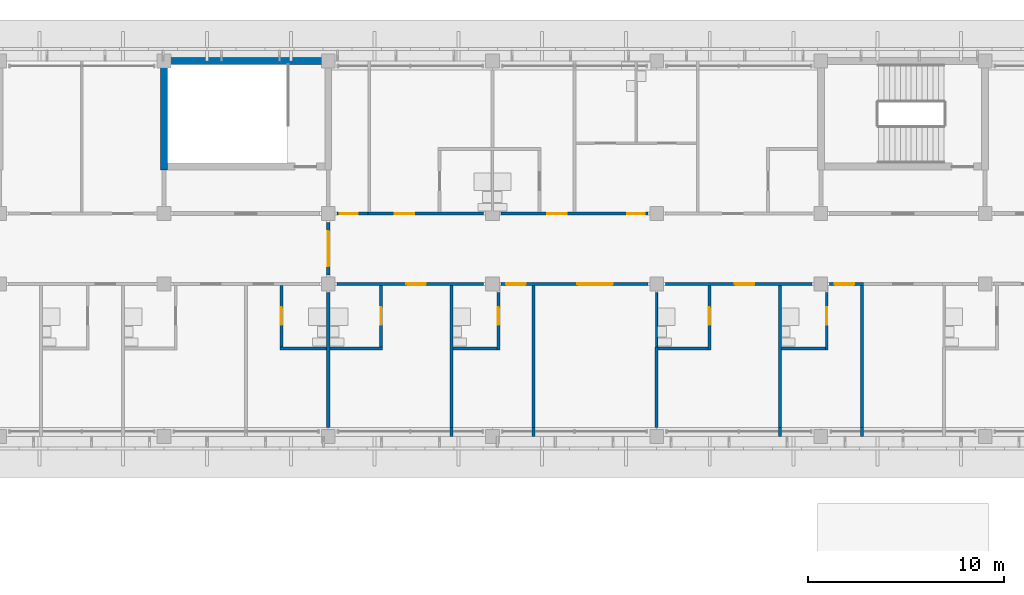
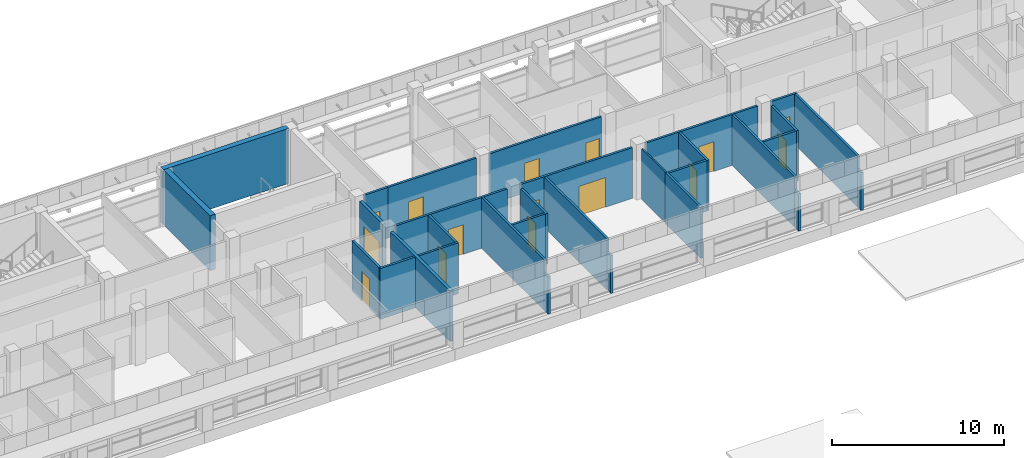
# One storey, part 18 of 36: 31 walls, 15 doors, 15 openings.
"""IFC4 building model written with IfcOpenShell, lengths in metres."""

from ifc_helpers import new_model, si_unit, direction, frame, frame_2d, origin, place, context, subcontext, project, spatial, rectangle, extrude, material, layer, layer_set, type_object, element, fill, save


model = new_model("IFC4")

# Units and contexts
model_context = context("Model", 3, precision=1e-05, world=origin(), true_north=direction((0.0, 1.0)))
body_context = subcontext(model_context, "Body", "Model", "MODEL_VIEW")
ifc_project = project(units=[si_unit("LENGTHUNIT", "METRE"), si_unit("AREAUNIT", "SQUARE_METRE"), si_unit("VOLUMEUNIT", "CUBIC_METRE"), si_unit("PLANEANGLEUNIT", "RADIAN"), si_unit("MASSUNIT", "GRAM", prefix="KILO")], contexts=[model_context])

# Site, building, storey
site_placement = place(None, origin())
site = spatial("IfcSite", under=ifc_project, at=site_placement, CompositionType="ELEMENT")
building_placement = place(site_placement, origin())
building = spatial("IfcBuilding", under=site, at=building_placement, Name="Bougainvillea Quay General Hospital", CompositionType="ELEMENT")
storey_placement = place(building_placement, frame((0.0, 0.0, 32.699951171875)))
storey = spatial("IfcBuildingStorey", under=building, at=storey_placement, Name="L07", CompositionType="ELEMENT", Elevation=32.699951171875)

# Walls
ifc_material_1 = material(Name="Gypsum board partition on steel studs", Category="steel")
ifc_layer_1 = layer(ifc_material_1, 0.10009765625)
ifc_layer_set_1 = layer_set([ifc_layer_1], Name="Gypsum board partition on steel studs")
wall_type_1 = type_object("IfcWallType", Name="Partition 100 Gypsum board partition", PredefinedType="PARTITIONING", material=ifc_layer_set_1)
wall_1_placement = place(storey_placement, frame((126.0, 144.97509765625, 0.0), z_axis=(0.0, 0.0, 1.0), x_axis=(0.0, 1.0, 0.0)))
element("IfcWall", 1, at=wall_1_placement, inside=storey, type_object=wall_type_1, Name="Partition 100 mm", PredefinedType="PARTITIONING", context=body_context, shape_type="SweptSolid", body=[
    extrude(rectangle(XDim=2.77490234375, YDim=0.10009765625, at=frame_2d((1.387451171875, 0.0))), origin(), (0.0, 0.0, 1.0), 3.60009765625),
])
ifc_material_2 = material(Name="Gypsum board partition on steel studs, insulated", Category="steel")
ifc_layer_2 = layer(ifc_material_2, 0.14990234375)
ifc_layer_set_2 = layer_set([ifc_layer_2], Name="Gypsum board partition on steel studs, insulated")
wall_type_2 = type_object("IfcWallType", Name="Partition 150 Gypsum board partition", PredefinedType="PARTITIONING", material=ifc_layer_set_2)
wall_2_placement = place(storey_placement, frame((115.5, 140.39990234375, 0.0), z_axis=(0.0, 0.0, 1.0), x_axis=(0.0, 1.0, 0.0)))
element("IfcWall", 2, at=wall_2_placement, inside=storey, type_object=wall_type_2, Name="Partition 150 mm", PredefinedType="PARTITIONING", context=body_context, shape_type="SweptSolid", body=[
    extrude(rectangle(XDim=0.4501953125, YDim=0.14990234375, at=frame_2d((0.22509765625, 0.0))), origin(), (0.0, 0.0, 1.0), 2.679931640625),
])
wall_3_placement = place(storey_placement, frame((115.5, 140.85009765625, 0.0), z_axis=(0.0, 0.0, 1.0), x_axis=(0.0, 1.0, 0.0)))
element("IfcWall", 3, at=wall_3_placement, inside=storey, type_object=wall_type_2, Name="Partition 150 mm", PredefinedType="PARTITIONING", context=body_context, shape_type="SweptSolid", body=[
    extrude(rectangle(XDim=7.27490234375, YDim=0.14990234375, at=frame_2d((3.637451171875, 0.0))), origin(), (0.0, 0.0, 1.0), 3.60009765625),
])
wall_4_placement = place(storey_placement, frame((119.699951171875, 140.39990234375, 0.0), z_axis=(0.0, 0.0, 1.0), x_axis=(0.0, 1.0, 0.0)))
element("IfcWall", 4, at=wall_4_placement, inside=storey, type_object=wall_type_2, Name="Partition 150 mm", PredefinedType="PARTITIONING", context=body_context, shape_type="SweptSolid", body=[
    extrude(rectangle(XDim=0.4501953125, YDim=0.14990234375, at=frame_2d((0.22509765625, 0.0))), origin(), (0.0, 0.0, 1.0), 2.679931640625),
])
wall_5_placement = place(storey_placement, frame((119.699951171875, 140.85009765625, 0.0), z_axis=(0.0, 0.0, 1.0), x_axis=(0.0, 1.0, 0.0)))
element("IfcWall", 5, at=wall_5_placement, inside=storey, type_object=wall_type_2, Name="Partition 150 mm", PredefinedType="PARTITIONING", context=body_context, shape_type="SweptSolid", body=[
    extrude(rectangle(XDim=7.27490234375, YDim=0.14990234375, at=frame_2d((3.637451171875, 0.0))), origin(), (0.0, 0.0, 1.0), 3.60009765625),
])
wall_6_placement = place(storey_placement, frame((132.300048828125, 140.39990234375, 0.0), z_axis=(0.0, 0.0, 1.0), x_axis=(0.0, 1.0, 0.0)))
element("IfcWall", 6, at=wall_6_placement, inside=storey, type_object=wall_type_2, Name="Partition 150 mm", PredefinedType="PARTITIONING", context=body_context, shape_type="SweptSolid", body=[
    extrude(rectangle(XDim=0.4501953125, YDim=0.14990234375, at=frame_2d((0.22509765625, 0.0))), origin(), (0.0, 0.0, 1.0), 2.679931640625),
])
wall_7_placement = place(storey_placement, frame((132.300048828125, 140.85009765625, 0.0), z_axis=(0.0, 0.0, 1.0), x_axis=(0.0, 1.0, 0.0)))
element("IfcWall", 7, at=wall_7_placement, inside=storey, type_object=wall_type_2, Name="Partition 150 mm", PredefinedType="PARTITIONING", context=body_context, shape_type="SweptSolid", body=[
    extrude(rectangle(XDim=7.27490234375, YDim=0.14990234375, at=frame_2d((3.637451171875, 0.0))), origin(), (0.0, 0.0, 1.0), 3.60009765625),
])
wall_8_placement = place(storey_placement, frame((136.5, 140.39990234375, 0.0), z_axis=(0.0, 0.0, 1.0), x_axis=(0.0, 1.0, 0.0)))
element("IfcWall", 8, at=wall_8_placement, inside=storey, type_object=wall_type_2, Name="Partition 150 mm", PredefinedType="PARTITIONING", context=body_context, shape_type="SweptSolid", body=[
    extrude(rectangle(XDim=0.4501953125, YDim=0.14990234375, at=frame_2d((0.22509765625, 0.0))), origin(), (0.0, 0.0, 1.0), 2.679931640625),
])
wall_9_placement = place(storey_placement, frame((136.5, 140.85009765625, 0.0), z_axis=(0.0, 0.0, 1.0), x_axis=(0.0, 1.0, 0.0)))
element("IfcWall", 9, at=wall_9_placement, inside=storey, type_object=wall_type_2, Name="Partition 150 mm", PredefinedType="PARTITIONING", context=body_context, shape_type="SweptSolid", body=[
    extrude(rectangle(XDim=7.27490234375, YDim=0.14990234375, at=frame_2d((3.637451171875, 0.0))), origin(), (0.0, 0.0, 1.0), 3.60009765625),
])
wall_10_placement = place(storey_placement, frame((106.72509765625, 144.89990234375, 0.0), z_axis=(0.0, 0.0, 1.0), x_axis=(1.0, 0.0, 0.0)))
element("IfcWall", 10, at=wall_10_placement, inside=storey, type_object=wall_type_2, Name="Partition 150 mm", PredefinedType="PARTITIONING", context=body_context, shape_type="SweptSolid", body=[
    extrude(rectangle(XDim=2.375, YDim=0.14990234375, at=frame_2d((1.1875, 0.0))), origin(), (0.0, 0.0, 1.0), 3.60009765625),
])
wall_11_placement = place(storey_placement, frame((109.300048828125, 144.89990234375, 0.0), z_axis=(0.0, 0.0, 1.0), x_axis=(1.0, 0.0, 0.0)))
element("IfcWall", 11, at=wall_11_placement, inside=storey, type_object=wall_type_2, Name="Partition 150 mm", PredefinedType="PARTITIONING", context=body_context, shape_type="SweptSolid", body=[
    extrude(rectangle(XDim=2.675048828125, YDim=0.14990234375, at=frame_2d((1.33740234375, 0.0))), origin(), (0.0, 0.0, 1.0), 3.60009765625),
])
wall_12_placement = place(storey_placement, frame((126.0, 140.85009765625, 0.0), z_axis=(0.0, 0.0, 1.0), x_axis=(0.0, 1.0, 0.0)))
element("IfcWall", 12, at=wall_12_placement, inside=storey, type_object=wall_type_2, Name="Partition 150 mm", PredefinedType="PARTITIONING", context=body_context, shape_type="SweptSolid", body=[
    extrude(rectangle(XDim=4.125, YDim=0.14990234375, at=frame_2d((2.0625, 0.0))), origin(), (0.0, 0.0, 1.0), 3.60009765625),
])

# Wall, opening, door
wall_13_placement = place(storey_placement, frame((106.800048828125, 144.97509765625, 0.0), z_axis=(0.0, 0.0, 1.0), x_axis=(0.0, 1.0, 0.0)))
wall_13 = element("IfcWall", 13, at=wall_13_placement, inside=storey, type_object=wall_type_2, Name="Partition 150 mm", PredefinedType="PARTITIONING", context=body_context, shape_type="SweptSolid", body=[
    extrude(rectangle(XDim=3.14990234375, YDim=0.14990234375, at=frame_2d((1.574951171875, 0.0))), origin(), (0.0, 0.0, 1.0), 3.60009765625),
])
opening_1_placement = place(wall_13_placement, frame((1.125, 0.0, 0.0)))
opening_1 = element("IfcOpeningElement", 14, at=opening_1_placement, cuts=wall_13, Name="Opening L07.032", PredefinedType="OPENING", context=body_context, shape_type="SweptSolid", body=[
    extrude(rectangle(XDim=0.89990234375, YDim=2.10009765625, at=frame_2d((0.449951171875, 1.050048828125))), frame((0.0, 0.0849609375, 0.0), z_axis=(0.0, -1.0, 0.0), x_axis=(1.0, 0.0, 0.0)), (0.0, 0.0, 1.0), 0.169921875),
])
ifc_material_3 = material(Name="Solid-core timber door leaf in steel frame", Category="steel")
door_type_1 = type_object("IfcDoorType", Name="Single leaf door 900x2100", OperationType="NOTDEFINED", PredefinedType="DOOR", material=ifc_material_3)
door_1_placement = place(opening_1_placement, frame((0.89990234375, 0.0, 0.0), z_axis=(0.0, 0.0, 1.0), x_axis=(-1.0, 0.0, 0.0)))
door_1 = element("IfcDoor", 15, at=door_1_placement, inside=storey, type_object=door_type_1, Name="DT07 L07.032", OperationType="SINGLE_SWING_LEFT", OverallHeight=2.10009765625, OverallWidth=0.89990234375, PredefinedType="DOOR", context=body_context, shape_type="SweptSolid", body=[
    extrude(rectangle(XDim=0.89990234375, YDim=2.10009765625, at=frame_2d((0.449951171875, 1.050048828125))), frame((0.0, 0.02490234375, 0.0), z_axis=(0.0, -1.0, 0.0), x_axis=(1.0, 0.0, 0.0)), (0.0, 0.0, 1.0), 0.050048828125),
])
fill(opening_1, door_1)

wall_14_placement = place(storey_placement, frame((111.89990234375, 144.97509765625, 0.0), z_axis=(0.0, 0.0, 1.0), x_axis=(0.0, 1.0, 0.0)))
wall_14 = element("IfcWall", 16, at=wall_14_placement, inside=storey, type_object=wall_type_2, Name="Partition 150 mm", PredefinedType="PARTITIONING", context=body_context, shape_type="SweptSolid", body=[
    extrude(rectangle(XDim=3.14990234375, YDim=0.14990234375, at=frame_2d((1.574951171875, 0.0))), origin(), (0.0, 0.0, 1.0), 3.60009765625),
])
opening_2_placement = place(wall_14_placement, frame((1.125, 0.0, 0.0)))
opening_2 = element("IfcOpeningElement", 17, at=opening_2_placement, cuts=wall_14, Name="Opening L07.036", PredefinedType="OPENING", context=body_context, shape_type="SweptSolid", body=[
    extrude(rectangle(XDim=0.89990234375, YDim=2.10009765625, at=frame_2d((0.449951171875, 1.050048828125))), frame((0.0, 0.0849609375, 0.0), z_axis=(0.0, -1.0, 0.0), x_axis=(1.0, 0.0, 0.0)), (0.0, 0.0, 1.0), 0.169921875),
])
door_2_placement = place(opening_2_placement, origin())
door_2 = element("IfcDoor", 18, at=door_2_placement, inside=storey, type_object=door_type_1, Name="DT07 L07.036", OperationType="SINGLE_SWING_RIGHT", OverallHeight=2.10009765625, OverallWidth=0.89990234375, PredefinedType="DOOR", context=body_context, shape_type="SweptSolid", body=[
    extrude(rectangle(XDim=0.89990234375, YDim=2.10009765625, at=frame_2d((0.449951171875, 1.050048828125))), frame((0.0, 0.02490234375, 0.0), z_axis=(0.0, -1.0, 0.0), x_axis=(1.0, 0.0, 0.0)), (0.0, 0.0, 1.0), 0.050048828125),
])
fill(opening_2, door_2)

wall_15_placement = place(storey_placement, frame((117.89990234375, 144.824951171875, 0.0), z_axis=(0.0, 0.0, 1.0), x_axis=(0.0, 1.0, 0.0)))
wall_15 = element("IfcWall", 19, at=wall_15_placement, inside=storey, type_object=wall_type_2, Name="Partition 150 mm", PredefinedType="PARTITIONING", context=body_context, shape_type="SweptSolid", body=[
    extrude(rectangle(XDim=2.925048828125, YDim=0.14990234375, at=frame_2d((1.46240234375, 0.0))), origin(), (0.0, 0.0, 1.0), 3.60009765625),
])
opening_3_placement = place(wall_15_placement, frame((1.27490234375, 0.0, 0.0)))
opening_3 = element("IfcOpeningElement", 20, at=opening_3_placement, cuts=wall_15, Name="Opening L07.038", PredefinedType="OPENING", context=body_context, shape_type="SweptSolid", body=[
    extrude(rectangle(XDim=0.89990234375, YDim=2.10009765625, at=frame_2d((0.449951171875, 1.050048828125))), frame((0.0, 0.0849609375, 0.0), z_axis=(0.0, -1.0, 0.0), x_axis=(1.0, 0.0, 0.0)), (0.0, 0.0, 1.0), 0.169921875),
])
door_3_placement = place(opening_3_placement, origin())
door_3 = element("IfcDoor", 21, at=door_3_placement, inside=storey, type_object=door_type_1, Name="DT07 L07.038", OperationType="SINGLE_SWING_RIGHT", OverallHeight=2.10009765625, OverallWidth=0.89990234375, PredefinedType="DOOR", context=body_context, shape_type="SweptSolid", body=[
    extrude(rectangle(XDim=0.89990234375, YDim=2.10009765625, at=frame_2d((0.449951171875, 1.050048828125))), frame((0.0, 0.02490234375, 0.0), z_axis=(0.0, -1.0, 0.0), x_axis=(1.0, 0.0, 0.0)), (0.0, 0.0, 1.0), 0.050048828125),
])
fill(opening_3, door_3)

wall_16_placement = place(storey_placement, frame((128.699951171875, 144.824951171875, 0.0), z_axis=(0.0, 0.0, 1.0), x_axis=(0.0, 1.0, 0.0)))
wall_16 = element("IfcWall", 22, at=wall_16_placement, inside=storey, type_object=wall_type_2, Name="Partition 150 mm", PredefinedType="PARTITIONING", context=body_context, shape_type="SweptSolid", body=[
    extrude(rectangle(XDim=3.300048828125, YDim=0.14990234375, at=frame_2d((1.64990234375, 0.0))), origin(), (0.0, 0.0, 1.0), 3.60009765625),
])
opening_4_placement = place(wall_16_placement, frame((1.27490234375, 0.0, 0.0)))
opening_4 = element("IfcOpeningElement", 23, at=opening_4_placement, cuts=wall_16, Name="Opening L07.041", PredefinedType="OPENING", context=body_context, shape_type="SweptSolid", body=[
    extrude(rectangle(XDim=0.89990234375, YDim=2.10009765625, at=frame_2d((0.449951171875, 1.050048828125))), frame((0.0, 0.0849609375, 0.0), z_axis=(0.0, -1.0, 0.0), x_axis=(1.0, 0.0, 0.0)), (0.0, 0.0, 1.0), 0.169921875),
])
door_4_placement = place(opening_4_placement, origin())
door_4 = element("IfcDoor", 24, at=door_4_placement, inside=storey, type_object=door_type_1, Name="DT07 L07.041", OperationType="SINGLE_SWING_RIGHT", OverallHeight=2.10009765625, OverallWidth=0.89990234375, PredefinedType="DOOR", context=body_context, shape_type="SweptSolid", body=[
    extrude(rectangle(XDim=0.89990234375, YDim=2.10009765625, at=frame_2d((0.449951171875, 1.050048828125))), frame((0.0, 0.02490234375, 0.0), z_axis=(0.0, -1.0, 0.0), x_axis=(1.0, 0.0, 0.0)), (0.0, 0.0, 1.0), 0.050048828125),
])
fill(opening_4, door_4)

wall_17_placement = place(storey_placement, frame((134.699951171875, 144.824951171875, 0.0), z_axis=(0.0, 0.0, 1.0), x_axis=(0.0, 1.0, 0.0)))
wall_17 = element("IfcWall", 25, at=wall_17_placement, inside=storey, type_object=wall_type_2, Name="Partition 150 mm", PredefinedType="PARTITIONING", context=body_context, shape_type="SweptSolid", body=[
    extrude(rectangle(XDim=2.925048828125, YDim=0.14990234375, at=frame_2d((1.46240234375, 0.0))), origin(), (0.0, 0.0, 1.0), 3.60009765625),
])
opening_5_placement = place(wall_17_placement, frame((1.27490234375, 0.0, 0.0)))
opening_5 = element("IfcOpeningElement", 26, at=opening_5_placement, cuts=wall_17, Name="Opening L07.043", PredefinedType="OPENING", context=body_context, shape_type="SweptSolid", body=[
    extrude(rectangle(XDim=0.89990234375, YDim=2.10009765625, at=frame_2d((0.449951171875, 1.050048828125))), frame((0.0, 0.0849609375, 0.0), z_axis=(0.0, -1.0, 0.0), x_axis=(1.0, 0.0, 0.0)), (0.0, 0.0, 1.0), 0.169921875),
])
door_5_placement = place(opening_5_placement, origin())
door_5 = element("IfcDoor", 27, at=door_5_placement, inside=storey, type_object=door_type_1, Name="DT07 L07.043", OperationType="SINGLE_SWING_RIGHT", OverallHeight=2.10009765625, OverallWidth=0.89990234375, PredefinedType="DOOR", context=body_context, shape_type="SweptSolid", body=[
    extrude(rectangle(XDim=0.89990234375, YDim=2.10009765625, at=frame_2d((0.449951171875, 1.050048828125))), frame((0.0, 0.02490234375, 0.0), z_axis=(0.0, -1.0, 0.0), x_axis=(1.0, 0.0, 0.0)), (0.0, 0.0, 1.0), 0.050048828125),
])
fill(opening_5, door_5)

# Walls
wall_18_placement = place(storey_placement, frame((126.074951171875, 144.89990234375, 0.0), z_axis=(0.0, 0.0, 1.0), x_axis=(1.0, 0.0, 0.0)))
element("IfcWall", 28, at=wall_18_placement, inside=storey, type_object=wall_type_2, Name="Partition 150 mm", PredefinedType="PARTITIONING", context=body_context, shape_type="SweptSolid", body=[
    extrude(rectangle(XDim=2.550048828125, YDim=0.14990234375, at=frame_2d((1.27490234375, 0.0))), origin(), (0.0, 0.0, 1.0), 3.60009765625),
])
for number, where, z_axis, x_axis, name in (
    (29, (115.574951171875, 144.89990234375, 0.0), (0.0, 0.0, 1.0), (1.0, 0.0, 0.0), "Partition 150 mm"),
    (30, (132.375, 144.89990234375, 0.0), (0.0, 0.0, 1.0), (1.0, 0.0, 0.0), "Partition 150 mm"),
):
    element("IfcWall", number, at=place(storey_placement, frame(where, z_axis=z_axis, x_axis=x_axis)), inside=storey, type_object=wall_type_2, Name=name, PredefinedType="PARTITIONING", context=body_context, shape_type="SweptSolid", body=[
        extrude(rectangle(XDim=2.25, YDim=0.14990234375, at=frame_2d((1.125, 0.0))), origin(), (0.0, 0.0, 1.0), 3.60009765625),
    ])

# Wall, opening, door
ifc_layer_3 = layer(ifc_material_2, 0.14990234375)
ifc_layer_set_3 = layer_set([ifc_layer_3], Name="Gypsum board partition on steel studs, insulated")
wall_type_3 = type_object("IfcWallType", Name="Partition 150 Gypsum board partition EI 30", PredefinedType="PARTITIONING", material=ifc_layer_set_3)
wall_19_placement = place(storey_placement, frame((136.574951171875, 148.199951171875, 0.0), z_axis=(0.0, 0.0, 1.0), x_axis=(-1.0, 0.0, 0.0)))
wall_19 = element("IfcWall", 31, at=wall_19_placement, inside=storey, type_object=wall_type_3, Name="Partition 150 mm EI 30", PredefinedType="PARTITIONING", context=body_context, shape_type="SweptSolid", body=[
    extrude(rectangle(XDim=1.724853515625, YDim=0.14990234375, at=frame_2d((0.8623046875, 0.0))), origin(), (0.0, 0.0, 1.0), 3.60009765625),
])
opening_6_placement = place(wall_19_placement, frame((0.47509765625, 0.0, 0.0)))
opening_6 = element("IfcOpeningElement", 32, at=opening_6_placement, cuts=wall_19, Name="Opening L07.042", PredefinedType="OPENING", context=body_context, shape_type="SweptSolid", body=[
    extrude(rectangle(XDim=1.0, YDim=2.10009765625, at=frame_2d((0.5, 1.050048828125))), frame((0.0, 0.0849609375, 0.0), z_axis=(0.0, -1.0, 0.0), x_axis=(1.0, 0.0, 0.0)), (0.0, 0.0, 1.0), 0.169921875),
])
door_type_2 = type_object("IfcDoorType", Name="Single leaf door 1000x2100 FD30S", OperationType="NOTDEFINED", PredefinedType="DOOR", material=ifc_material_3)
door_6_placement = place(opening_6_placement, origin())
door_6 = element("IfcDoor", 33, at=door_6_placement, inside=storey, type_object=door_type_2, Name="DT15 L07.042", OperationType="SINGLE_SWING_RIGHT", OverallHeight=2.10009765625, OverallWidth=1.0, PredefinedType="DOOR", context=body_context, shape_type="SweptSolid", body=[
    extrude(rectangle(XDim=1.0, YDim=2.10009765625, at=frame_2d((0.5, 1.050048828125))), frame((0.0, 0.02490234375, 0.0), z_axis=(0.0, -1.0, 0.0), x_axis=(1.0, 0.0, 0.0)), (0.0, 0.0, 1.0), 0.050048828125),
])
fill(opening_6, door_6)

wall_20_placement = place(storey_placement, frame((133.949951171875, 148.199951171875, 0.0), z_axis=(0.0, 0.0, 1.0), x_axis=(-1.0, 0.0, 0.0)))
wall_20 = element("IfcWall", 34, at=wall_20_placement, inside=storey, type_object=wall_type_3, Name="Partition 150 mm EI 30", PredefinedType="PARTITIONING", context=body_context, shape_type="SweptSolid", body=[
    extrude(rectangle(XDim=7.5, YDim=0.14990234375, at=frame_2d((3.75, 0.0))), origin(), (0.0, 0.0, 1.0), 3.60009765625),
])
opening_7_placement = place(wall_20_placement, frame((2.949951171875, 0.0, 0.0)))
opening_7 = element("IfcOpeningElement", 35, at=opening_7_placement, cuts=wall_20, Name="Opening L07.040", PredefinedType="OPENING", context=body_context, shape_type="SweptSolid", body=[
    extrude(rectangle(XDim=1.0, YDim=2.10009765625, at=frame_2d((0.5, 1.050048828125))), frame((0.0, 0.0849609375, 0.0), z_axis=(0.0, -1.0, 0.0), x_axis=(1.0, 0.0, 0.0)), (0.0, 0.0, 1.0), 0.169921875),
])
door_7_placement = place(opening_7_placement, origin())
door_7 = element("IfcDoor", 36, at=door_7_placement, inside=storey, type_object=door_type_2, Name="DT15 L07.040", OperationType="SINGLE_SWING_LEFT", OverallHeight=2.10009765625, OverallWidth=1.0, PredefinedType="DOOR", context=body_context, shape_type="SweptSolid", body=[
    extrude(rectangle(XDim=1.0, YDim=2.10009765625, at=frame_2d((0.5, 1.050048828125))), frame((0.0, 0.02490234375, 0.0), z_axis=(0.0, -1.0, 0.0), x_axis=(1.0, 0.0, 0.0)), (0.0, 0.0, 1.0), 0.050048828125),
])
fill(opening_7, door_7)

# Wall, openings, doors
wall_21_placement = place(storey_placement, frame((125.550048828125, 148.199951171875, 0.0), z_axis=(0.0, 0.0, 1.0), x_axis=(-1.0, 0.0, 0.0)))
wall_21 = element("IfcWall", 37, at=wall_21_placement, inside=storey, type_object=wall_type_3, Name="Partition 150 mm EI 30", PredefinedType="PARTITIONING", context=body_context, shape_type="SweptSolid", body=[
    extrude(rectangle(XDim=7.5, YDim=0.14990234375, at=frame_2d((3.75, 0.0))), origin(), (0.0, 0.0, 1.0), 3.60009765625),
])
opening_8_placement = place(wall_21_placement, frame((6.25, 0.0, 0.0)))
opening_8 = element("IfcOpeningElement", 38, at=opening_8_placement, cuts=wall_21, Name="Opening L07.037", PredefinedType="OPENING", context=body_context, shape_type="SweptSolid", body=[
    extrude(rectangle(XDim=1.0, YDim=2.10009765625, at=frame_2d((0.5, 1.050048828125))), frame((0.0, 0.0849609375, 0.0), z_axis=(0.0, -1.0, 0.0), x_axis=(1.0, 0.0, 0.0)), (0.0, 0.0, 1.0), 0.169921875),
])
opening_9_placement = place(wall_21_placement, frame((1.800048828125, 0.0, 0.0)))
opening_9 = element("IfcOpeningElement", 39, at=opening_9_placement, cuts=wall_21, Name="Opening L07.039", PredefinedType="OPENING", context=body_context, shape_type="SweptSolid", body=[
    extrude(rectangle(XDim=1.800048828125, YDim=2.10009765625, at=frame_2d((0.89990234375, 1.050048828125))), frame((0.0, 0.0849609375, 0.0), z_axis=(0.0, -1.0, 0.0), x_axis=(1.0, 0.0, 0.0)), (0.0, 0.0, 1.0), 0.169921875),
])
ifc_material_4 = material(Name="Solid-core timber door leaves in steel frame", Category="steel")
door_type_3 = type_object("IfcDoorType", Name="Double leaf door 1800x2100 FD30S", OperationType="DOUBLE_DOOR_SINGLE_SWING", PredefinedType="DOOR", material=ifc_material_4)
door_8_placement = place(opening_9_placement, origin())
door_8 = element("IfcDoor", 40, at=door_8_placement, inside=storey, type_object=door_type_3, Name="DT17 L07.039", OperationType="DOUBLE_DOOR_SINGLE_SWING", OverallHeight=2.10009765625, OverallWidth=1.800048828125, PredefinedType="DOOR", context=body_context, shape_type="SweptSolid", body=[
    extrude(rectangle(XDim=1.800048828125, YDim=2.10009765625, at=frame_2d((0.89990234375, 1.050048828125))), frame((0.0, 0.02490234375, 0.0), z_axis=(0.0, -1.0, 0.0), x_axis=(1.0, 0.0, 0.0)), (0.0, 0.0, 1.0), 0.050048828125),
])
fill(opening_9, door_8)
door_9_placement = place(opening_8_placement, origin())
door_9 = element("IfcDoor", 41, at=door_9_placement, inside=storey, type_object=door_type_2, Name="DT15 L07.037", OperationType="SINGLE_SWING_RIGHT", OverallHeight=2.10009765625, OverallWidth=1.0, PredefinedType="DOOR", context=body_context, shape_type="SweptSolid", body=[
    extrude(rectangle(XDim=1.0, YDim=2.10009765625, at=frame_2d((0.5, 1.050048828125))), frame((0.0, 0.02490234375, 0.0), z_axis=(0.0, -1.0, 0.0), x_axis=(1.0, 0.0, 0.0)), (0.0, 0.0, 1.0), 0.050048828125),
])
fill(opening_8, door_9)

# Wall, opening, door
wall_22_placement = place(storey_placement, frame((117.14990234375, 148.199951171875, 0.0), z_axis=(0.0, 0.0, 1.0), x_axis=(-1.0, 0.0, 0.0)))
wall_22 = element("IfcWall", 42, at=wall_22_placement, inside=storey, type_object=wall_type_3, Name="Partition 150 mm EI 30", PredefinedType="PARTITIONING", context=body_context, shape_type="SweptSolid", body=[
    extrude(rectangle(XDim=7.5, YDim=0.14990234375, at=frame_2d((3.75, 0.0))), origin(), (0.0, 0.0, 1.0), 3.60009765625),
])
opening_10_placement = place(wall_22_placement, frame((2.949951171875, 0.0, 0.0)))
opening_10 = element("IfcOpeningElement", 43, at=opening_10_placement, cuts=wall_22, Name="Opening L07.035", PredefinedType="OPENING", context=body_context, shape_type="SweptSolid", body=[
    extrude(rectangle(XDim=1.0, YDim=2.10009765625, at=frame_2d((0.5, 1.050048828125))), frame((0.0, 0.0849609375, 0.0), z_axis=(0.0, -1.0, 0.0), x_axis=(1.0, 0.0, 0.0)), (0.0, 0.0, 1.0), 0.169921875),
])
door_10_placement = place(opening_10_placement, origin())
door_10 = element("IfcDoor", 44, at=door_10_placement, inside=storey, type_object=door_type_2, Name="DT15 L07.035", OperationType="SINGLE_SWING_LEFT", OverallHeight=2.10009765625, OverallWidth=1.0, PredefinedType="DOOR", context=body_context, shape_type="SweptSolid", body=[
    extrude(rectangle(XDim=1.0, YDim=2.10009765625, at=frame_2d((0.5, 1.050048828125))), frame((0.0, 0.02490234375, 0.0), z_axis=(0.0, -1.0, 0.0), x_axis=(1.0, 0.0, 0.0)), (0.0, 0.0, 1.0), 0.050048828125),
])
fill(opening_10, door_10)

# Wall, openings, doors
wall_23_placement = place(storey_placement, frame((125.550048828125, 151.800048828125, 0.0), z_axis=(0.0, 0.0, 1.0), x_axis=(-1.0, 0.0, 0.0)))
wall_23 = element("IfcWall", 45, at=wall_23_placement, inside=storey, type_object=wall_type_3, Name="Partition 150 mm EI 30", PredefinedType="PARTITIONING", context=body_context, shape_type="SweptSolid", body=[
    extrude(rectangle(XDim=7.5, YDim=0.14990234375, at=frame_2d((3.75, 0.0))), origin(), (0.0, 0.0, 1.0), 3.60009765625),
])
opening_11_placement = place(wall_23_placement, frame((4.14990234375, 0.0, 0.0)))
opening_11 = element("IfcOpeningElement", 46, at=opening_11_placement, cuts=wall_23, Name="Opening L07.052", PredefinedType="OPENING", context=body_context, shape_type="SweptSolid", body=[
    extrude(rectangle(XDim=1.0, YDim=2.10009765625, at=frame_2d((0.5, 1.050048828125))), frame((0.0, 0.0849609375, 0.0), z_axis=(0.0, -1.0, 0.0), x_axis=(1.0, 0.0, 0.0)), (0.0, 0.0, 1.0), 0.169921875),
])
opening_12_placement = place(wall_23_placement, frame((0.14990234375, 0.0, 0.0)))
opening_12 = element("IfcOpeningElement", 47, at=opening_12_placement, cuts=wall_23, Name="Opening L07.054", PredefinedType="OPENING", context=body_context, shape_type="SweptSolid", body=[
    extrude(rectangle(XDim=0.89990234375, YDim=2.10009765625, at=frame_2d((0.449951171875, 1.050048828125))), frame((0.0, 0.0849609375, 0.0), z_axis=(0.0, -1.0, 0.0), x_axis=(1.0, 0.0, 0.0)), (0.0, 0.0, 1.0), 0.169921875),
])
door_11_placement = place(opening_11_placement, frame((1.0, 0.0, 0.0), z_axis=(0.0, 0.0, 1.0), x_axis=(-1.0, 0.0, 0.0)))
door_11 = element("IfcDoor", 48, at=door_11_placement, inside=storey, type_object=door_type_2, Name="DT15 L07.052", OperationType="SINGLE_SWING_LEFT", OverallHeight=2.10009765625, OverallWidth=1.0, PredefinedType="DOOR", context=body_context, shape_type="SweptSolid", body=[
    extrude(rectangle(XDim=1.0, YDim=2.10009765625, at=frame_2d((0.5, 1.050048828125))), frame((0.0, 0.02490234375, 0.0), z_axis=(0.0, -1.0, 0.0), x_axis=(1.0, 0.0, 0.0)), (0.0, 0.0, 1.0), 0.050048828125),
])
fill(opening_11, door_11)
door_type_4 = type_object("IfcDoorType", Name="Single leaf door 900x2100 FD60", OperationType="NOTDEFINED", PredefinedType="DOOR", material=ifc_material_3)
door_12_placement = place(opening_12_placement, frame((0.89990234375, 0.0, 0.0), z_axis=(0.0, 0.0, 1.0), x_axis=(-1.0, 0.0, 0.0)))
door_12 = element("IfcDoor", 49, at=door_12_placement, inside=storey, type_object=door_type_4, Name="DT18 L07.054", OperationType="SINGLE_SWING_RIGHT", OverallHeight=2.10009765625, OverallWidth=0.89990234375, PredefinedType="DOOR", context=body_context, shape_type="SweptSolid", body=[
    extrude(rectangle(XDim=0.89990234375, YDim=2.10009765625, at=frame_2d((0.449951171875, 1.050048828125))), frame((0.0, 0.02490234375, 0.0), z_axis=(0.0, -1.0, 0.0), x_axis=(1.0, 0.0, 0.0)), (0.0, 0.0, 1.0), 0.050048828125),
])
fill(opening_12, door_12)

# Wall, opening, door
wall_24_placement = place(storey_placement, frame((117.14990234375, 151.800048828125, 0.0), z_axis=(0.0, 0.0, 1.0), x_axis=(-1.0, 0.0, 0.0)))
wall_24 = element("IfcWall", 50, at=wall_24_placement, inside=storey, type_object=wall_type_3, Name="Partition 150 mm EI 30", PredefinedType="PARTITIONING", context=body_context, shape_type="SweptSolid", body=[
    extrude(rectangle(XDim=5.9248046875, YDim=0.14990234375, at=frame_2d((2.96240234375, 0.0))), origin(), (0.0, 0.0, 1.0), 3.60009765625),
])
opening_13_placement = place(wall_24_placement, frame((3.550048828125, 0.0, 0.0)))
opening_13 = element("IfcOpeningElement", 51, at=opening_13_placement, cuts=wall_24, Name="Opening L07.050", PredefinedType="OPENING", context=body_context, shape_type="SweptSolid", body=[
    extrude(rectangle(XDim=1.0, YDim=2.10009765625, at=frame_2d((0.5, 1.050048828125))), frame((0.0, 0.0849609375, 0.0), z_axis=(0.0, -1.0, 0.0), x_axis=(1.0, 0.0, 0.0)), (0.0, 0.0, 1.0), 0.169921875),
])
door_13_placement = place(opening_13_placement, frame((1.0, 0.0, 0.0), z_axis=(0.0, 0.0, 1.0), x_axis=(-1.0, 0.0, 0.0)))
door_13 = element("IfcDoor", 52, at=door_13_placement, inside=storey, type_object=door_type_2, Name="DT15 L07.050", OperationType="SINGLE_SWING_LEFT", OverallHeight=2.10009765625, OverallWidth=1.0, PredefinedType="DOOR", context=body_context, shape_type="SweptSolid", body=[
    extrude(rectangle(XDim=1.0, YDim=2.10009765625, at=frame_2d((0.5, 1.050048828125))), frame((0.0, 0.02490234375, 0.0), z_axis=(0.0, -1.0, 0.0), x_axis=(1.0, 0.0, 0.0)), (0.0, 0.0, 1.0), 0.050048828125),
])
fill(opening_13, door_13)

ifc_layer_4 = layer(ifc_material_2, 0.14990234375)
ifc_layer_set_4 = layer_set([ifc_layer_4], Name="Gypsum board partition on steel studs, insulated")
wall_type_4 = type_object("IfcWallType", Name="Partition 150 Gypsum board partition EI 60", PredefinedType="PARTITIONING", material=ifc_layer_set_4)
wall_25_placement = place(storey_placement, frame((109.64990234375, 151.800048828125, 0.0), z_axis=(0.0, 0.0, 1.0), x_axis=(1.0, 0.0, 0.0)))
wall_25 = element("IfcWall", 53, at=wall_25_placement, inside=storey, type_object=wall_type_4, Name="Partition 150 mm EI 60", PredefinedType="PARTITIONING", context=body_context, shape_type="SweptSolid", body=[
    extrude(rectangle(XDim=1.5751953125, YDim=0.14990234375, at=frame_2d((0.78759765625, 0.0))), origin(), (0.0, 0.0, 1.0), 3.60009765625),
])
opening_14_placement = place(wall_25_placement, frame((0.14990234375, 0.0, 0.0)))
opening_14 = element("IfcOpeningElement", 54, at=opening_14_placement, cuts=wall_25, Name="Opening L07.049", PredefinedType="OPENING", context=body_context, shape_type="SweptSolid", body=[
    extrude(rectangle(XDim=0.89990234375, YDim=2.10009765625, at=frame_2d((0.449951171875, 1.050048828125))), frame((0.0, 0.0849609375, 0.0), z_axis=(0.0, -1.0, 0.0), x_axis=(1.0, 0.0, 0.0)), (0.0, 0.0, 1.0), 0.169921875),
])
door_14_placement = place(opening_14_placement, origin())
door_14 = element("IfcDoor", 55, at=door_14_placement, inside=storey, type_object=door_type_4, Name="DT18 L07.049", OperationType="SINGLE_SWING_LEFT", OverallHeight=2.10009765625, OverallWidth=0.89990234375, PredefinedType="DOOR", context=body_context, shape_type="SweptSolid", body=[
    extrude(rectangle(XDim=0.89990234375, YDim=2.10009765625, at=frame_2d((0.449951171875, 1.050048828125))), frame((0.0, 0.02490234375, 0.0), z_axis=(0.0, -1.0, 0.0), x_axis=(1.0, 0.0, 0.0)), (0.0, 0.0, 1.0), 0.050048828125),
])
fill(opening_14, door_14)

ifc_material_5 = material(Name="Fire-rated autoclaved aerated block wall, plastered")
ifc_layer_5 = layer(ifc_material_5, 0.199951171875)
ifc_layer_set_5 = layer_set([ifc_layer_5], Name="Fire-rated autoclaved aerated block wall, plastered")
wall_type_5 = type_object("IfcWallType", Name="Partition 200 Fire-rated autoclaved aerated block wall EI 120", PredefinedType="SOLIDWALL", material=ifc_layer_set_5)
wall_26_placement = place(storey_placement, frame((109.199951171875, 151.35009765625, 0.0), z_axis=(0.0, 0.0, 1.0), x_axis=(0.0, -1.0, 0.0)))
wall_26 = element("IfcWall", 56, at=wall_26_placement, inside=storey, type_object=wall_type_5, Name="Partition 200 mm EI 120", PredefinedType="SOLIDWALL", context=body_context, shape_type="SweptSolid", body=[
    extrude(rectangle(XDim=2.7001953125, YDim=0.199951171875, at=frame_2d((1.35009765625, 0.0))), origin(), (0.0, 0.0, 1.0), 3.60009765625),
])
opening_15_placement = place(wall_26_placement, frame((0.449951171875, 0.0, 0.0)))
opening_15 = element("IfcOpeningElement", 57, at=opening_15_placement, cuts=wall_26, Name="Opening L07.001", PredefinedType="OPENING", context=body_context, shape_type="SweptSolid", body=[
    extrude(rectangle(XDim=1.800048828125, YDim=2.10009765625, at=frame_2d((0.89990234375, 1.050048828125))), frame((0.0, 0.10986328125, 0.0), z_axis=(0.0, -1.0, 0.0), x_axis=(1.0, 0.0, 0.0)), (0.0, 0.0, 1.0), 0.219970703125),
])
ifc_material_6 = material(Name="Steel fire door leaves in steel frame", Category="steel")
door_type_5 = type_object("IfcDoorType", Name="Steel double leaf door 1800x2100 FD90", OperationType="DOUBLE_DOOR_SINGLE_SWING", PredefinedType="DOOR", material=ifc_material_6)
door_15_placement = place(opening_15_placement, origin())
door_15 = element("IfcDoor", 58, at=door_15_placement, inside=storey, type_object=door_type_5, Name="DT03 L07.001", OperationType="DOUBLE_DOOR_SINGLE_SWING", OverallHeight=2.10009765625, OverallWidth=1.800048828125, PredefinedType="DOOR", context=body_context, shape_type="SweptSolid", body=[
    extrude(rectangle(XDim=1.800048828125, YDim=2.10009765625, at=frame_2d((0.89990234375, 1.050048828125))), frame((0.0, 0.02490234375, 0.0), z_axis=(0.0, -1.0, 0.0), x_axis=(1.0, 0.0, 0.0)), (0.0, 0.0, 1.0), 0.050048828125),
])
fill(opening_15, door_15)

# Walls
wall_27_placement = place(storey_placement, frame((109.199951171875, 147.75, 0.0), z_axis=(0.0, 0.0, 1.0), x_axis=(0.0, -1.0, 0.0)))
element("IfcWall", 59, at=wall_27_placement, inside=storey, type_object=wall_type_5, Name="Partition 200 mm EI 120", PredefinedType="SOLIDWALL", context=body_context, shape_type="SweptSolid", body=[
    extrude(rectangle(XDim=6.89990234375, YDim=0.199951171875, at=frame_2d((3.449951171875, 0.0))), origin(), (0.0, 0.0, 1.0), 3.60009765625),
])
ifc_material_7 = material(Name="Concrete C40", Category="concrete")
ifc_layer_6 = layer(ifc_material_7, 0.35009765625)
ifc_layer_set_6 = layer_set([ifc_layer_6], Name="Concrete C40")
wall_type_6 = type_object("IfcWallType", Name="RC SHEAR WALL 350 C40", PredefinedType="SHEAR", material=ifc_layer_set_6)
wall_28_placement = place(storey_placement, frame((100.625, 159.60009765625, 0.0), z_axis=(0.0, 0.0, 1.0), x_axis=(1.0, 0.0, 0.0)))
element("IfcWall", 60, at=wall_28_placement, inside=storey, type_object=wall_type_6, Name="Shear wall L07", PredefinedType="SHEAR", context=body_context, shape_type="SweptSolid", body=[
    extrude(rectangle(XDim=8.39990234375, YDim=0.35009765625, at=frame_2d((4.199951171875, 0.0))), origin(), (0.0, 0.0, 1.0), 3.900146484375),
])
wall_29_placement = place(storey_placement, frame((100.800048828125, 154.02490234375, 0.0), z_axis=(0.0, 0.0, 1.0), x_axis=(0.0, 1.0, 0.0)))
element("IfcWall", 61, at=wall_29_placement, inside=storey, type_object=wall_type_6, Name="Shear wall L07", PredefinedType="SHEAR", context=body_context, shape_type="SweptSolid", body=[
    extrude(rectangle(XDim=5.400146484375, YDim=0.35009765625, at=frame_2d((2.7001953125, 0.0))), origin(), (0.0, 0.0, 1.0), 3.900146484375),
])

save(model, "model.ifc")
